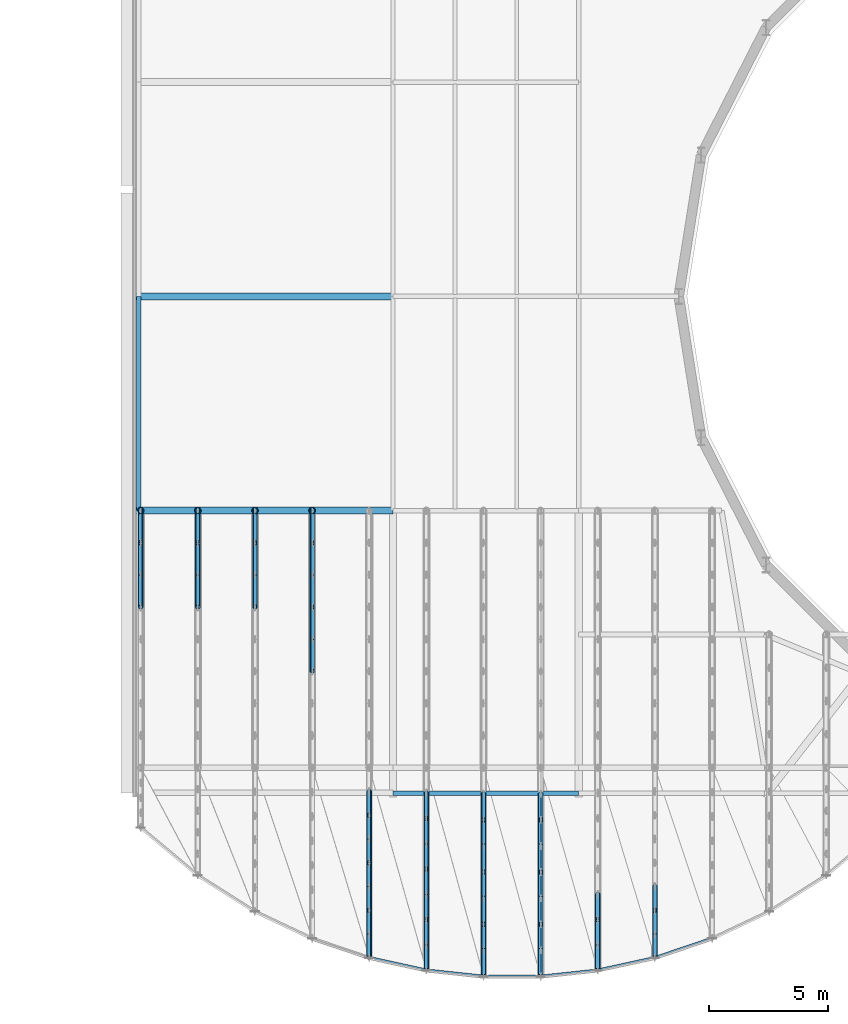
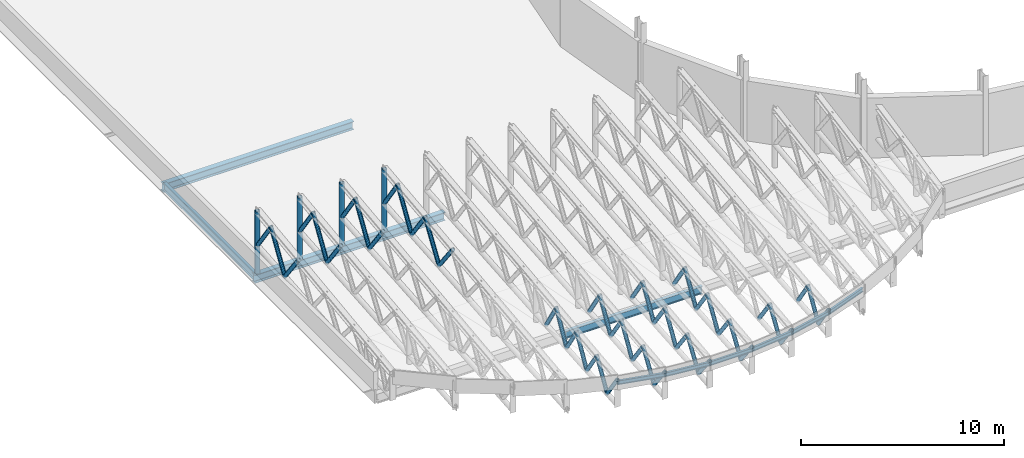
# One storey, part 12 of 58: 58 members, 4 beams.
"""IFC4 building model written with IfcOpenShell, lengths in metres."""

from ifc_helpers import new_model, si_unit, direction, frame, origin, origin_2d, place, context, subcontext, project, spatial, hollow_circle, i_section, extrude, material, material_profile, profile_set, type_object, element, save


model = new_model("IFC4")

# Units and contexts
model_context = context("Model", 3, precision=1e-05, world=origin(), true_north=direction((0.0, 1.0)))
body_context = subcontext(model_context, "Body", "Model", "MODEL_VIEW")
ifc_project = project(units=[si_unit("LENGTHUNIT", "METRE"), si_unit("AREAUNIT", "SQUARE_METRE"), si_unit("VOLUMEUNIT", "CUBIC_METRE"), si_unit("PLANEANGLEUNIT", "RADIAN"), si_unit("MASSUNIT", "GRAM", prefix="KILO")], contexts=[model_context])

# Site, building, storey
site_placement = place(None, origin())
site = spatial("IfcSite", under=ifc_project, at=site_placement, CompositionType="ELEMENT")
building_placement = place(site_placement, origin())
building = spatial("IfcBuilding", under=site, at=building_placement, Name="Sefraquen Railside Congress Hotel", CompositionType="ELEMENT")
storey_placement = place(building_placement, frame((0.0, 0.0, 16.199951171875)))
storey = spatial("IfcBuildingStorey", under=building, at=storey_placement, Name="L03", CompositionType="ELEMENT", Elevation=16.199951171875)

# Beams
ifc_material_1 = material(Name="Steel S355JR", Category="steel")
ifc_material_profile_1 = material_profile(ifc_material_1, i_section(OverallWidth=0.18994140625, OverallDepth=0.449951171875, WebThickness=0.009521484375, FlangeThickness=0.0146484375, FilletRadius=0.02099609375, at=origin_2d()), Name="IPE 450")
ifc_profile_set_1 = profile_set([ifc_material_profile_1], Name="Steel S355JR")
beam_type_1 = type_object("IfcBeamType", Name="TB-BM-450", PredefinedType="BEAM", material=ifc_profile_set_1)
beam_1_placement = place(storey_placement, frame((33.0, 6.128173828125, -0.5048828125), z_axis=(1.0, 0.0, 0.0), x_axis=(0.0, 1.0, 0.0)))
element("IfcBeam", 1, at=beam_1_placement, inside=storey, type_object=beam_type_1, Name="Congress leaning-hull south edge beam L03-02", PredefinedType="BEAM", context=body_context, shape_type="SweptSolid", body=[
    extrude(i_section(OverallWidth=0.18994140625, OverallDepth=0.449951171875, WebThickness=0.009521484375, FlangeThickness=0.0146484375, FilletRadius=0.02099609375, at=origin_2d()), origin(), (0.0, 0.0, 1.0), 7.800048828125),
])
beam_2_placement = place(storey_placement, frame((22.328125, 18.0, -0.5048828125), z_axis=(0.0, 1.0, 0.0), x_axis=(-1.0, 0.0, 0.0)))
element("IfcBeam", 2, at=beam_2_placement, inside=storey, type_object=beam_type_1, Name="Congress leaning-hull west edge beam L03-02", PredefinedType="BEAM", context=body_context, shape_type="SweptSolid", body=[
    extrude(i_section(OverallWidth=0.18994140625, OverallDepth=0.449951171875, WebThickness=0.009521484375, FlangeThickness=0.0146484375, FilletRadius=0.02099609375, at=origin_2d()), origin(), (0.0, 0.0, 1.0), 9.0),
])
ifc_material_profile_2 = material_profile(ifc_material_1, i_section(OverallWidth=0.300048828125, OverallDepth=0.489990234375, WebThickness=0.011962890625, FlangeThickness=0.02294921875, FilletRadius=0.027099609375, at=origin_2d()), Name="HEA 500")
ifc_profile_set_2 = profile_set([ifc_material_profile_2], Name="Steel S355JR")
beam_type_2 = type_object("IfcBeamType", Name="TB-GIR-500", PredefinedType="T_BEAM", material=ifc_profile_set_2)
for number, where, z_axis, x_axis, name in (
    (3, (22.1787109375, 18.0, -0.52490234375), (1.0, 0.0, 0.0), (0.0, 1.0, 0.0), "Congress leaning-hull west tie girder W-C L03"),
    (4, (22.1787109375, 27.0, -0.52490234375), (1.0, 0.0, 0.0), (0.0, 1.0, 0.0), "Congress leaning-hull west tie girder W-D L03"),
):
    element("IfcBeam", number, at=place(storey_placement, frame(where, z_axis=z_axis, x_axis=x_axis)), inside=storey, type_object=beam_type_2, Name=name, PredefinedType="T_BEAM", context=body_context, shape_type="SweptSolid", body=[
        extrude(i_section(OverallWidth=0.300048828125, OverallDepth=0.489990234375, WebThickness=0.011962890625, FlangeThickness=0.02294921875, FilletRadius=0.027099609375, at=origin_2d()), origin(), (0.0, 0.0, 1.0), 10.8212890625),
    ])

# Members
ifc_material_2 = material(Name="Steel S355J2", Category="steel")
ifc_material_profile_3 = material_profile(ifc_material_2, hollow_circle(Radius=0.109619140625, WallThickness=0.010009765625, at=origin_2d()), Name="CHS 219.1x10")
ifc_profile_set_3 = profile_set([ifc_material_profile_3], Name="Steel S355J2")
member_type_1 = type_object("IfcMemberType", Name="TM-BR-219", PredefinedType="BRACE", material=ifc_profile_set_3)
member_1_placement = place(storey_placement, frame((22.39990234375, 18.0, 1.35009765625), z_axis=(0.0, -0.573706013671, 0.819061297998), x_axis=(1.0, 0.0, 0.0)))
element("IfcMember", 5, at=member_1_placement, inside=storey, type_object=member_type_1, Name="Canopy cantilever truss web diagonal 01.01", PredefinedType="BRACE", context=body_context, shape_type="SweptSolid", body=[
    extrude(hollow_circle(Radius=0.109619140625, WallThickness=0.010009765625, at=origin_2d()), origin(), (0.0, 0.0, 1.0), 2.353271484375),
])
member_2_placement = place(storey_placement, frame((22.39990234375, 16.64990234375, 3.277587890625), z_axis=(0.0, -0.531570873459, -0.847013817178), x_axis=(1.0, 0.0, 0.0)))
element("IfcMember", 6, at=member_2_placement, inside=storey, type_object=member_type_1, Name="Canopy cantilever truss web diagonal 01.02", PredefinedType="BRACE", context=body_context, shape_type="SweptSolid", body=[
    extrude(hollow_circle(Radius=0.109619140625, WallThickness=0.010009765625, at=origin_2d()), origin(), (0.0, 0.0, 1.0), 2.539306640625),
])
member_3_placement = place(storey_placement, frame((22.39990234375, 15.300048828125, 1.126708984375), z_axis=(0.0, -0.598769269302, 0.800921570529), x_axis=(1.0, 0.0, 0.0)))
element("IfcMember", 7, at=member_3_placement, inside=storey, type_object=member_type_1, Name="Canopy cantilever truss web diagonal 01.03", PredefinedType="BRACE", context=body_context, shape_type="SweptSolid", body=[
    extrude(hollow_circle(Radius=0.109619140625, WallThickness=0.010009765625, at=origin_2d()), origin(), (0.0, 0.0, 1.0), 2.2548828125),
])
member_4_placement = place(storey_placement, frame((24.800048828125, 18.0, 1.35009765625), z_axis=(0.0, -0.572052141242, 0.820217256403), x_axis=(1.0, 0.0, 0.0)))
element("IfcMember", 8, at=member_4_placement, inside=storey, type_object=member_type_1, Name="Canopy cantilever truss web diagonal 02.01", PredefinedType="BRACE", context=body_context, shape_type="SweptSolid", body=[
    extrude(hollow_circle(Radius=0.109619140625, WallThickness=0.010009765625, at=origin_2d()), origin(), (0.0, 0.0, 1.0), 2.360107421875),
])
member_5_placement = place(storey_placement, frame((24.800048828125, 16.64990234375, 3.285888671875), z_axis=(0.0, -0.530274781874, -0.847825840435), x_axis=(1.0, 0.0, 0.0)))
element("IfcMember", 9, at=member_5_placement, inside=storey, type_object=member_type_1, Name="Canopy cantilever truss web diagonal 02.02", PredefinedType="BRACE", context=body_context, shape_type="SweptSolid", body=[
    extrude(hollow_circle(Radius=0.109619140625, WallThickness=0.010009765625, at=origin_2d()), origin(), (0.0, 0.0, 1.0), 2.545654296875),
])
member_6_placement = place(storey_placement, frame((24.800048828125, 15.300048828125, 1.127685546875), z_axis=(0.0, -0.593660345158, 0.80471572284), x_axis=(1.0, 0.0, 0.0)))
element("IfcMember", 10, at=member_6_placement, inside=storey, type_object=member_type_1, Name="Canopy cantilever truss web diagonal 02.03", PredefinedType="BRACE", context=body_context, shape_type="SweptSolid", body=[
    extrude(hollow_circle(Radius=0.109619140625, WallThickness=0.010009765625, at=origin_2d()), origin(), (0.0, 0.0, 1.0), 2.274169921875),
])
member_7_placement = place(storey_placement, frame((27.199951171875, 18.0, 1.35009765625), z_axis=(0.0, -0.571034232948, 0.820926248089), x_axis=(1.0, 0.0, 0.0)))
element("IfcMember", 11, at=member_7_placement, inside=storey, type_object=member_type_1, Name="Canopy cantilever truss web diagonal 03.01", PredefinedType="BRACE", context=body_context, shape_type="SweptSolid", body=[
    extrude(hollow_circle(Radius=0.109619140625, WallThickness=0.010009765625, at=origin_2d()), origin(), (0.0, 0.0, 1.0), 2.3642578125),
])
member_8_placement = place(storey_placement, frame((27.199951171875, 16.64990234375, 3.291015625), z_axis=(0.0, -0.529499564894, -0.848310209049), x_axis=(1.0, 0.0, 0.0)))
element("IfcMember", 12, at=member_8_placement, inside=storey, type_object=member_type_1, Name="Canopy cantilever truss web diagonal 03.02", PredefinedType="BRACE", context=body_context, shape_type="SweptSolid", body=[
    extrude(hollow_circle(Radius=0.109619140625, WallThickness=0.010009765625, at=origin_2d()), origin(), (0.0, 0.0, 1.0), 2.54931640625),
])
member_9_placement = place(storey_placement, frame((27.199951171875, 15.300048828125, 1.12841796875), z_axis=(0.0, -0.59059481739, 0.8069682532), x_axis=(1.0, 0.0, 0.0)))
element("IfcMember", 13, at=member_9_placement, inside=storey, type_object=member_type_1, Name="Canopy cantilever truss web diagonal 03.03", PredefinedType="BRACE", context=body_context, shape_type="SweptSolid", body=[
    extrude(hollow_circle(Radius=0.109619140625, WallThickness=0.010009765625, at=origin_2d()), origin(), (0.0, 0.0, 1.0), 2.285888671875),
])
member_10_placement = place(storey_placement, frame((29.60009765625, 18.0, 1.35009765625), z_axis=(0.0, -0.570405474497, 0.821363253783), x_axis=(1.0, 0.0, 0.0)))
element("IfcMember", 14, at=member_10_placement, inside=storey, type_object=member_type_1, Name="Canopy cantilever truss web diagonal 04.01", PredefinedType="BRACE", context=body_context, shape_type="SweptSolid", body=[
    extrude(hollow_circle(Radius=0.109619140625, WallThickness=0.010009765625, at=origin_2d()), origin(), (0.0, 0.0, 1.0), 2.366943359375),
])
member_11_placement = place(storey_placement, frame((29.60009765625, 16.64990234375, 3.294189453125), z_axis=(0.0, -0.52898376685, -0.84863194284), x_axis=(1.0, 0.0, 0.0)))
element("IfcMember", 15, at=member_11_placement, inside=storey, type_object=member_type_1, Name="Canopy cantilever truss web diagonal 04.02", PredefinedType="BRACE", context=body_context, shape_type="SweptSolid", body=[
    extrude(hollow_circle(Radius=0.109619140625, WallThickness=0.010009765625, at=origin_2d()), origin(), (0.0, 0.0, 1.0), 2.5517578125),
])
member_12_placement = place(storey_placement, frame((29.60009765625, 15.300048828125, 1.128662109375), z_axis=(0.0, -0.588665283223, 0.808376882603), x_axis=(1.0, 0.0, 0.0)))
element("IfcMember", 16, at=member_12_placement, inside=storey, type_object=member_type_1, Name="Canopy cantilever truss web diagonal 04.03", PredefinedType="BRACE", context=body_context, shape_type="SweptSolid", body=[
    extrude(hollow_circle(Radius=0.109619140625, WallThickness=0.010009765625, at=origin_2d()), origin(), (0.0, 0.0, 1.0), 2.29345703125),
])
member_13_placement = place(storey_placement, frame((29.60009765625, 13.949951171875, 2.982666015625), z_axis=(0.0, -0.545220559607, -0.838292634694), x_axis=(1.0, 0.0, 0.0)))
element("IfcMember", 17, at=member_13_placement, inside=storey, type_object=member_type_1, Name="Canopy cantilever truss web diagonal 04.04", PredefinedType="BRACE", context=body_context, shape_type="SweptSolid", body=[
    extrude(hollow_circle(Radius=0.109619140625, WallThickness=0.010009765625, at=origin_2d()), origin(), (0.0, 0.0, 1.0), 2.475830078125),
])
member_14_placement = place(storey_placement, frame((29.60009765625, 12.60009765625, 0.9072265625), z_axis=(0.0, -0.607796815012, 0.794092583809), x_axis=(1.0, 0.0, 0.0)))
element("IfcMember", 18, at=member_14_placement, inside=storey, type_object=member_type_1, Name="Canopy cantilever truss web diagonal 04.05", PredefinedType="BRACE", context=body_context, shape_type="SweptSolid", body=[
    extrude(hollow_circle(Radius=0.109619140625, WallThickness=0.010009765625, at=origin_2d()), origin(), (0.0, 0.0, 1.0), 2.22119140625),
])
member_15_placement = place(storey_placement, frame((32.0, 6.201904296875, 0.383544921875), z_axis=(0.0, -0.527029065083, 0.849847259546), x_axis=(1.0, 0.0, 0.0)))
element("IfcMember", 19, at=member_15_placement, inside=storey, type_object=member_type_1, Name="Canopy cantilever truss web diagonal 05.10", PredefinedType="BRACE", context=body_context, shape_type="SweptSolid", body=[
    extrude(hollow_circle(Radius=0.109619140625, WallThickness=0.010009765625, at=origin_2d()), origin(), (0.0, 0.0, 1.0), 1.893798828125),
])
member_16_placement = place(storey_placement, frame((32.0, 5.203857421875, 1.992919921875), z_axis=(0.0, -0.490637184942, -0.871363961128), x_axis=(1.0, 0.0, 0.0)))
element("IfcMember", 20, at=member_16_placement, inside=storey, type_object=member_type_1, Name="Canopy cantilever truss web diagonal 05.11", PredefinedType="BRACE", context=body_context, shape_type="SweptSolid", body=[
    extrude(hollow_circle(Radius=0.109619140625, WallThickness=0.010009765625, at=origin_2d()), origin(), (0.0, 0.0, 1.0), 2.03466796875),
])
member_17_placement = place(storey_placement, frame((32.0, 4.20556640625, 0.219970703125), z_axis=(0.0, -0.542453250416, 0.840085990309), x_axis=(1.0, 0.0, 0.0)))
element("IfcMember", 21, at=member_17_placement, inside=storey, type_object=member_type_1, Name="Canopy cantilever truss web diagonal 05.12", PredefinedType="BRACE", context=body_context, shape_type="SweptSolid", body=[
    extrude(hollow_circle(Radius=0.109619140625, WallThickness=0.010009765625, at=origin_2d()), origin(), (0.0, 0.0, 1.0), 1.83984375),
])
member_18_placement = place(storey_placement, frame((32.0, 3.20751953125, 1.765625), z_axis=(0.0, -0.504246773929, -0.863559604765), x_axis=(1.0, 0.0, 0.0)))
element("IfcMember", 22, at=member_18_placement, inside=storey, type_object=member_type_1, Name="Canopy cantilever truss web diagonal 05.13", PredefinedType="BRACE", context=body_context, shape_type="SweptSolid", body=[
    extrude(hollow_circle(Radius=0.109619140625, WallThickness=0.010009765625, at=origin_2d()), origin(), (0.0, 0.0, 1.0), 1.979248046875),
])
member_19_placement = place(storey_placement, frame((32.0, 2.20947265625, 0.056396484375), z_axis=(0.0, -0.558698212114, 0.829371031433), x_axis=(1.0, 0.0, 0.0)))
element("IfcMember", 23, at=member_19_placement, inside=storey, type_object=member_type_1, Name="Canopy cantilever truss web diagonal 05.14", PredefinedType="BRACE", context=body_context, shape_type="SweptSolid", body=[
    extrude(hollow_circle(Radius=0.109619140625, WallThickness=0.010009765625, at=origin_2d()), origin(), (0.0, 0.0, 1.0), 1.786865234375),
])
member_20_placement = place(storey_placement, frame((32.0, 1.211181640625, 1.538330078125), z_axis=(0.0, -0.518594080333, -0.85502057276), x_axis=(1.0, 0.0, 0.0)))
element("IfcMember", 24, at=member_20_placement, inside=storey, type_object=member_type_1, Name="Canopy cantilever truss web diagonal 05.15", PredefinedType="BRACE", context=body_context, shape_type="SweptSolid", body=[
    extrude(hollow_circle(Radius=0.109619140625, WallThickness=0.010009765625, at=origin_2d()), origin(), (0.0, 0.0, 1.0), 1.924560546875),
])
member_21_placement = place(storey_placement, frame((32.0, 0.213134765625, -0.107177734375), z_axis=(0.0, -0.575510842166, 0.817794149251), x_axis=(1.0, 0.0, 0.0)))
element("IfcMember", 25, at=member_21_placement, inside=storey, type_object=member_type_1, Name="Canopy cantilever truss web diagonal 05.16", PredefinedType="BRACE", context=body_context, shape_type="SweptSolid", body=[
    extrude(hollow_circle(Radius=0.109619140625, WallThickness=0.010009765625, at=origin_2d()), origin(), (0.0, 0.0, 1.0), 1.734130859375),
])
member_22_placement = place(storey_placement, frame((34.39990234375, 6.13623046875, 0.378662109375), z_axis=(0.0, -0.550930284925, 0.834551269337), x_axis=(1.0, 0.0, 0.0)))
element("IfcMember", 26, at=member_22_placement, inside=storey, type_object=member_type_1, Name="Canopy cantilever truss web diagonal 06.10", PredefinedType="BRACE", context=body_context, shape_type="SweptSolid", body=[
    extrude(hollow_circle(Radius=0.109619140625, WallThickness=0.010009765625, at=origin_2d()), origin(), (0.0, 0.0, 1.0), 1.9306640625),
])
member_23_placement = place(storey_placement, frame((34.39990234375, 5.072509765625, 1.989990234375), z_axis=(0.0, -0.51183284571, -0.859085058683), x_axis=(1.0, 0.0, 0.0)))
element("IfcMember", 27, at=member_23_placement, inside=storey, type_object=member_type_1, Name="Canopy cantilever truss web diagonal 06.11", PredefinedType="BRACE", context=body_context, shape_type="SweptSolid", body=[
    extrude(hollow_circle(Radius=0.109619140625, WallThickness=0.010009765625, at=origin_2d()), origin(), (0.0, 0.0, 1.0), 2.078369140625),
])
member_24_placement = place(storey_placement, frame((34.39990234375, 4.0087890625, 0.20458984375), z_axis=(0.0, -0.567042389138, 0.823688611625), x_axis=(1.0, 0.0, 0.0)))
element("IfcMember", 28, at=member_24_placement, inside=storey, type_object=member_type_1, Name="Canopy cantilever truss web diagonal 06.12", PredefinedType="BRACE", context=body_context, shape_type="SweptSolid", body=[
    extrude(hollow_circle(Radius=0.109619140625, WallThickness=0.010009765625, at=origin_2d()), origin(), (0.0, 0.0, 1.0), 1.8759765625),
])
member_25_placement = place(storey_placement, frame((34.39990234375, 2.945068359375, 1.749755859375), z_axis=(0.0, -0.526096863802, -0.850424652687), x_axis=(1.0, 0.0, 0.0)))
element("IfcMember", 29, at=member_25_placement, inside=storey, type_object=member_type_1, Name="Canopy cantilever truss web diagonal 06.13", PredefinedType="BRACE", context=body_context, shape_type="SweptSolid", body=[
    extrude(hollow_circle(Radius=0.109619140625, WallThickness=0.010009765625, at=origin_2d()), origin(), (0.0, 0.0, 1.0), 2.02197265625),
])
member_26_placement = place(storey_placement, frame((34.39990234375, 1.88134765625, 0.0302734375), z_axis=(0.0, -0.583972853545, 0.811773186502), x_axis=(1.0, 0.0, 0.0)))
element("IfcMember", 30, at=member_26_placement, inside=storey, type_object=member_type_1, Name="Canopy cantilever truss web diagonal 06.14", PredefinedType="BRACE", context=body_context, shape_type="SweptSolid", body=[
    extrude(hollow_circle(Radius=0.109619140625, WallThickness=0.010009765625, at=origin_2d()), origin(), (0.0, 0.0, 1.0), 1.822021484375),
])
member_27_placement = place(storey_placement, frame((34.39990234375, 0.8173828125, 1.50927734375), z_axis=(0.0, -0.54104005033, -0.840996827544), x_axis=(1.0, 0.0, 0.0)))
element("IfcMember", 31, at=member_27_placement, inside=storey, type_object=member_type_1, Name="Canopy cantilever truss web diagonal 06.15", PredefinedType="BRACE", context=body_context, shape_type="SweptSolid", body=[
    extrude(hollow_circle(Radius=0.109619140625, WallThickness=0.010009765625, at=origin_2d()), origin(), (0.0, 0.0, 1.0), 1.965576171875),
])
member_28_placement = place(storey_placement, frame((34.39990234375, -0.24609375, -0.143798828125), z_axis=(0.0, -0.601566952132, 0.798822384578), x_axis=(1.0, 0.0, 0.0)))
element("IfcMember", 32, at=member_28_placement, inside=storey, type_object=member_type_1, Name="Canopy cantilever truss web diagonal 06.16", PredefinedType="BRACE", context=body_context, shape_type="SweptSolid", body=[
    extrude(hollow_circle(Radius=0.109619140625, WallThickness=0.010009765625, at=origin_2d()), origin(), (0.0, 0.0, 1.0), 1.7685546875),
])
member_29_placement = place(storey_placement, frame((36.800048828125, 6.10400390625, 0.376708984375), z_axis=(0.0, -0.562220949555, 0.826987063914), x_axis=(1.0, 0.0, 0.0)))
element("IfcMember", 33, at=member_29_placement, inside=storey, type_object=member_type_1, Name="Canopy cantilever truss web diagonal 07.10", PredefinedType="BRACE", context=body_context, shape_type="SweptSolid", body=[
    extrude(hollow_circle(Radius=0.109619140625, WallThickness=0.010009765625, at=origin_2d()), origin(), (0.0, 0.0, 1.0), 1.94921875),
])
member_30_placement = place(storey_placement, frame((36.800048828125, 5.008056640625, 1.98876953125), z_axis=(0.0, -0.521896694646, -0.853008698735), x_axis=(1.0, 0.0, 0.0)))
element("IfcMember", 34, at=member_30_placement, inside=storey, type_object=member_type_1, Name="Canopy cantilever truss web diagonal 07.11", PredefinedType="BRACE", context=body_context, shape_type="SweptSolid", body=[
    extrude(hollow_circle(Radius=0.109619140625, WallThickness=0.010009765625, at=origin_2d()), origin(), (0.0, 0.0, 1.0), 2.099853515625),
])
member_31_placement = place(storey_placement, frame((36.800048828125, 3.912109375, 0.197509765625), z_axis=(0.0, -0.578735945052, 0.815514994286), x_axis=(1.0, 0.0, 0.0)))
element("IfcMember", 35, at=member_31_placement, inside=storey, type_object=member_type_1, Name="Canopy cantilever truss web diagonal 07.12", PredefinedType="BRACE", context=body_context, shape_type="SweptSolid", body=[
    extrude(hollow_circle(Radius=0.109619140625, WallThickness=0.010009765625, at=origin_2d()), origin(), (0.0, 0.0, 1.0), 1.89404296875),
])
member_32_placement = place(storey_placement, frame((36.800048828125, 2.81591796875, 1.7421875), z_axis=(0.0, -0.536450132966, -0.843932020272), x_axis=(1.0, 0.0, 0.0)))
element("IfcMember", 36, at=member_32_placement, inside=storey, type_object=member_type_1, Name="Canopy cantilever truss web diagonal 07.13", PredefinedType="BRACE", context=body_context, shape_type="SweptSolid", body=[
    extrude(hollow_circle(Radius=0.109619140625, WallThickness=0.010009765625, at=origin_2d()), origin(), (0.0, 0.0, 1.0), 2.04296875),
])
member_33_placement = place(storey_placement, frame((36.800048828125, 1.719970703125, 0.01806640625), z_axis=(0.0, -0.595744757732, 0.803173819067), x_axis=(1.0, 0.0, 0.0)))
element("IfcMember", 37, at=member_33_placement, inside=storey, type_object=member_type_1, Name="Canopy cantilever truss web diagonal 07.14", PredefinedType="BRACE", context=body_context, shape_type="SweptSolid", body=[
    extrude(hollow_circle(Radius=0.109619140625, WallThickness=0.010009765625, at=origin_2d()), origin(), (0.0, 0.0, 1.0), 1.839599609375),
])
member_34_placement = place(storey_placement, frame((36.800048828125, 0.6240234375, 1.49560546875), z_axis=(0.0, -0.55171857114, -0.834030346126), x_axis=(1.0, 0.0, 0.0)))
element("IfcMember", 38, at=member_34_placement, inside=storey, type_object=member_type_1, Name="Canopy cantilever truss web diagonal 07.15", PredefinedType="BRACE", context=body_context, shape_type="SweptSolid", body=[
    extrude(hollow_circle(Radius=0.109619140625, WallThickness=0.010009765625, at=origin_2d()), origin(), (0.0, 0.0, 1.0), 1.986328125),
])
member_35_placement = place(storey_placement, frame((36.800048828125, -0.471923828125, -0.1611328125), z_axis=(0.0, -0.613732404709, 0.789514113496), x_axis=(1.0, 0.0, 0.0)))
element("IfcMember", 39, at=member_35_placement, inside=storey, type_object=member_type_1, Name="Canopy cantilever truss web diagonal 07.16", PredefinedType="BRACE", context=body_context, shape_type="SweptSolid", body=[
    extrude(hollow_circle(Radius=0.109619140625, WallThickness=0.010009765625, at=origin_2d()), origin(), (0.0, 0.0, 1.0), 1.7861328125),
])
member_36_placement = place(storey_placement, frame((39.199951171875, 6.10400390625, 0.376708984375), z_axis=(0.0, -0.562220949555, 0.826987063914), x_axis=(1.0, 0.0, 0.0)))
element("IfcMember", 40, at=member_36_placement, inside=storey, type_object=member_type_1, Name="Canopy cantilever truss web diagonal 08.10", PredefinedType="BRACE", context=body_context, shape_type="SweptSolid", body=[
    extrude(hollow_circle(Radius=0.109619140625, WallThickness=0.010009765625, at=origin_2d()), origin(), (0.0, 0.0, 1.0), 1.94921875),
])
member_37_placement = place(storey_placement, frame((39.199951171875, 5.008056640625, 1.98876953125), z_axis=(0.0, -0.521896694646, -0.853008698735), x_axis=(1.0, 0.0, 0.0)))
element("IfcMember", 41, at=member_37_placement, inside=storey, type_object=member_type_1, Name="Canopy cantilever truss web diagonal 08.11", PredefinedType="BRACE", context=body_context, shape_type="SweptSolid", body=[
    extrude(hollow_circle(Radius=0.109619140625, WallThickness=0.010009765625, at=origin_2d()), origin(), (0.0, 0.0, 1.0), 2.099853515625),
])
member_38_placement = place(storey_placement, frame((39.199951171875, 3.912109375, 0.197509765625), z_axis=(0.0, -0.578735945052, 0.815514994286), x_axis=(1.0, 0.0, 0.0)))
element("IfcMember", 42, at=member_38_placement, inside=storey, type_object=member_type_1, Name="Canopy cantilever truss web diagonal 08.12", PredefinedType="BRACE", context=body_context, shape_type="SweptSolid", body=[
    extrude(hollow_circle(Radius=0.109619140625, WallThickness=0.010009765625, at=origin_2d()), origin(), (0.0, 0.0, 1.0), 1.89404296875),
])
member_39_placement = place(storey_placement, frame((39.199951171875, 2.81591796875, 1.7421875), z_axis=(0.0, -0.536450132966, -0.843932020272), x_axis=(1.0, 0.0, 0.0)))
element("IfcMember", 43, at=member_39_placement, inside=storey, type_object=member_type_1, Name="Canopy cantilever truss web diagonal 08.13", PredefinedType="BRACE", context=body_context, shape_type="SweptSolid", body=[
    extrude(hollow_circle(Radius=0.109619140625, WallThickness=0.010009765625, at=origin_2d()), origin(), (0.0, 0.0, 1.0), 2.04296875),
])
member_40_placement = place(storey_placement, frame((39.199951171875, 1.719970703125, 0.01806640625), z_axis=(0.0, -0.595744757732, 0.803173819067), x_axis=(1.0, 0.0, 0.0)))
element("IfcMember", 44, at=member_40_placement, inside=storey, type_object=member_type_1, Name="Canopy cantilever truss web diagonal 08.14", PredefinedType="BRACE", context=body_context, shape_type="SweptSolid", body=[
    extrude(hollow_circle(Radius=0.109619140625, WallThickness=0.010009765625, at=origin_2d()), origin(), (0.0, 0.0, 1.0), 1.839599609375),
])
member_41_placement = place(storey_placement, frame((39.199951171875, 0.6240234375, 1.49560546875), z_axis=(0.0, -0.55171857114, -0.834030346126), x_axis=(1.0, 0.0, 0.0)))
element("IfcMember", 45, at=member_41_placement, inside=storey, type_object=member_type_1, Name="Canopy cantilever truss web diagonal 08.15", PredefinedType="BRACE", context=body_context, shape_type="SweptSolid", body=[
    extrude(hollow_circle(Radius=0.109619140625, WallThickness=0.010009765625, at=origin_2d()), origin(), (0.0, 0.0, 1.0), 1.986328125),
])
member_42_placement = place(storey_placement, frame((39.199951171875, -0.471923828125, -0.1611328125), z_axis=(0.0, -0.613732404709, 0.789514113496), x_axis=(1.0, 0.0, 0.0)))
element("IfcMember", 46, at=member_42_placement, inside=storey, type_object=member_type_1, Name="Canopy cantilever truss web diagonal 08.16", PredefinedType="BRACE", context=body_context, shape_type="SweptSolid", body=[
    extrude(hollow_circle(Radius=0.109619140625, WallThickness=0.010009765625, at=origin_2d()), origin(), (0.0, 0.0, 1.0), 1.7861328125),
])
member_43_placement = place(storey_placement, frame((41.60009765625, 1.88134765625, 0.0302734375), z_axis=(0.0, -0.583972853545, 0.811773186502), x_axis=(1.0, 0.0, 0.0)))
element("IfcMember", 47, at=member_43_placement, inside=storey, type_object=member_type_1, Name="Canopy cantilever truss web diagonal 09.14", PredefinedType="BRACE", context=body_context, shape_type="SweptSolid", body=[
    extrude(hollow_circle(Radius=0.109619140625, WallThickness=0.010009765625, at=origin_2d()), origin(), (0.0, 0.0, 1.0), 1.822021484375),
])
member_44_placement = place(storey_placement, frame((41.60009765625, 0.8173828125, 1.50927734375), z_axis=(0.0, -0.54104005033, -0.840996827544), x_axis=(1.0, 0.0, 0.0)))
element("IfcMember", 48, at=member_44_placement, inside=storey, type_object=member_type_1, Name="Canopy cantilever truss web diagonal 09.15", PredefinedType="BRACE", context=body_context, shape_type="SweptSolid", body=[
    extrude(hollow_circle(Radius=0.109619140625, WallThickness=0.010009765625, at=origin_2d()), origin(), (0.0, 0.0, 1.0), 1.965576171875),
])
member_45_placement = place(storey_placement, frame((41.60009765625, -0.24609375, -0.143798828125), z_axis=(0.0, -0.601566952132, 0.798822384578), x_axis=(1.0, 0.0, 0.0)))
element("IfcMember", 49, at=member_45_placement, inside=storey, type_object=member_type_1, Name="Canopy cantilever truss web diagonal 09.16", PredefinedType="BRACE", context=body_context, shape_type="SweptSolid", body=[
    extrude(hollow_circle(Radius=0.109619140625, WallThickness=0.010009765625, at=origin_2d()), origin(), (0.0, 0.0, 1.0), 1.7685546875),
])
member_46_placement = place(storey_placement, frame((44.0, 2.20947265625, 0.056396484375), z_axis=(0.0, -0.558698212114, 0.829371031433), x_axis=(1.0, 0.0, 0.0)))
element("IfcMember", 50, at=member_46_placement, inside=storey, type_object=member_type_1, Name="Canopy cantilever truss web diagonal 10.14", PredefinedType="BRACE", context=body_context, shape_type="SweptSolid", body=[
    extrude(hollow_circle(Radius=0.109619140625, WallThickness=0.010009765625, at=origin_2d()), origin(), (0.0, 0.0, 1.0), 1.786865234375),
])
member_47_placement = place(storey_placement, frame((44.0, 1.211181640625, 1.538330078125), z_axis=(0.0, -0.518594080333, -0.85502057276), x_axis=(1.0, 0.0, 0.0)))
element("IfcMember", 51, at=member_47_placement, inside=storey, type_object=member_type_1, Name="Canopy cantilever truss web diagonal 10.15", PredefinedType="BRACE", context=body_context, shape_type="SweptSolid", body=[
    extrude(hollow_circle(Radius=0.109619140625, WallThickness=0.010009765625, at=origin_2d()), origin(), (0.0, 0.0, 1.0), 1.924560546875),
])
member_48_placement = place(storey_placement, frame((44.0, 0.213134765625, -0.107177734375), z_axis=(0.0, -0.575510842166, 0.817794149251), x_axis=(1.0, 0.0, 0.0)))
element("IfcMember", 52, at=member_48_placement, inside=storey, type_object=member_type_1, Name="Canopy cantilever truss web diagonal 10.16", PredefinedType="BRACE", context=body_context, shape_type="SweptSolid", body=[
    extrude(hollow_circle(Radius=0.109619140625, WallThickness=0.010009765625, at=origin_2d()), origin(), (0.0, 0.0, 1.0), 1.734130859375),
])
ifc_material_profile_4 = material_profile(ifc_material_2, hollow_circle(Radius=0.136474609375, WallThickness=0.012451171875, at=origin_2d()), Name="CHS 273x12.5")
ifc_profile_set_4 = profile_set([ifc_material_profile_4], Name="Steel S355J2")
member_type_2 = type_object("IfcMemberType", Name="TM-CANT-CHORD", PredefinedType="CHORD", material=ifc_profile_set_4)
for number, where, z_axis, x_axis, name in (
    (53, (22.39990234375, 18.0, -0.280029296875), (0.0, 0.0, 1.0), (1.0, 0.0, 0.0), "Canopy truss anchor post C-01"),
    (54, (24.800048828125, 18.0, -0.280029296875), (0.0, 0.0, 1.0), (1.0, 0.0, 0.0), "Canopy truss anchor post C-02"),
    (55, (27.199951171875, 18.0, -0.280029296875), (0.0, 0.0, 1.0), (1.0, 0.0, 0.0), "Canopy truss anchor post C-03"),
    (56, (29.60009765625, 18.0, -0.280029296875), (0.0, 0.0, 1.0), (1.0, 0.0, 0.0), "Canopy truss anchor post C-04"),
):
    element("IfcMember", number, at=place(storey_placement, frame(where, z_axis=z_axis, x_axis=x_axis)), inside=storey, type_object=member_type_2, Name=name, PredefinedType="CHORD", context=body_context, shape_type="SweptSolid", body=[
        extrude(hollow_circle(Radius=0.136474609375, WallThickness=0.012451171875, at=origin_2d()), origin(), (0.0, 0.0, 1.0), 3.72998046875),
    ])
ifc_material_profile_5 = material_profile(ifc_material_1, i_section(OverallWidth=0.1201171875, OverallDepth=0.239990234375, WebThickness=0.006103515625, FlangeThickness=0.009765625, FilletRadius=0.014892578125, at=origin_2d()), Name="IPE 240")
ifc_profile_set_5 = profile_set([ifc_material_profile_5], Name="Steel S355JR")
member_type_3 = type_object("IfcMemberType", Name="TM-PUR-240", PredefinedType="PURLIN", material=ifc_profile_set_5)
member_49_placement = place(storey_placement, frame((32.0, -0.784912109375, 1.151123046875), z_axis=(0.976743074529, -0.21373085995, -0.017090519717), x_axis=(0.213762080671, 0.976885752208, 0.0)))
element("IfcMember", 57, at=member_49_placement, inside=storey, type_object=member_type_3, Name="Sweeping canopy front edge purlin 05", PredefinedType="PURLIN", context=body_context, shape_type="SweptSolid", body=[
    extrude(i_section(OverallWidth=0.1201171875, OverallDepth=0.239990234375, WebThickness=0.006103515625, FlangeThickness=0.009765625, FilletRadius=0.014892578125, at=origin_2d()), origin(), (0.0, 0.0, 1.0), 2.45703125),
])
member_50_placement = place(storey_placement, frame((34.39990234375, -1.31005859375, 1.109130859375), z_axis=(0.994235487738, -0.106897254658, -0.008292880683), x_axis=(0.106900930609, 0.994269677218, 0.0)))
element("IfcMember", 58, at=member_50_placement, inside=storey, type_object=member_type_3, Name="Sweeping canopy front edge purlin 06", PredefinedType="PURLIN", context=body_context, shape_type="SweptSolid", body=[
    extrude(i_section(OverallWidth=0.1201171875, OverallDepth=0.239990234375, WebThickness=0.006103515625, FlangeThickness=0.009765625, FilletRadius=0.014892578125, at=origin_2d()), origin(), (0.0, 0.0, 1.0), 2.4140625),
])
member_51_placement = place(storey_placement, frame((36.800048828125, -1.568115234375, 1.089111328125), z_axis=(1.0, 0.0, 0.0), x_axis=(0.0, 1.0, 0.0)))
element("IfcMember", 59, at=member_51_placement, inside=storey, type_object=member_type_3, Name="Sweeping canopy front edge purlin 07", PredefinedType="PURLIN", context=body_context, shape_type="SweptSolid", body=[
    extrude(i_section(OverallWidth=0.1201171875, OverallDepth=0.239990234375, WebThickness=0.006103515625, FlangeThickness=0.009765625, FilletRadius=0.014892578125, at=origin_2d()), origin(), (0.0, 0.0, 1.0), 2.39990234375),
])
member_52_placement = place(storey_placement, frame((39.199951171875, -1.568115234375, 1.089111328125), z_axis=(0.994235487738, 0.106897254658, 0.008292880683), x_axis=(-0.106900930609, 0.994269677218, 0.0)))
element("IfcMember", 60, at=member_52_placement, inside=storey, type_object=member_type_3, Name="Sweeping canopy front edge purlin 08", PredefinedType="PURLIN", context=body_context, shape_type="SweptSolid", body=[
    extrude(i_section(OverallWidth=0.1201171875, OverallDepth=0.239990234375, WebThickness=0.006103515625, FlangeThickness=0.009765625, FilletRadius=0.014892578125, at=origin_2d()), origin(), (0.0, 0.0, 1.0), 2.4140625),
])
member_53_placement = place(storey_placement, frame((41.60009765625, -1.31005859375, 1.109130859375), z_axis=(0.976743074529, 0.21373085995, 0.017090519717), x_axis=(-0.213762080671, 0.976885752208, 0.0)))
element("IfcMember", 61, at=member_53_placement, inside=storey, type_object=member_type_3, Name="Sweeping canopy front edge purlin 09", PredefinedType="PURLIN", context=body_context, shape_type="SweptSolid", body=[
    extrude(i_section(OverallWidth=0.1201171875, OverallDepth=0.239990234375, WebThickness=0.006103515625, FlangeThickness=0.009765625, FilletRadius=0.014892578125, at=origin_2d()), origin(), (0.0, 0.0, 1.0), 2.45703125),
])
member_54_placement = place(storey_placement, frame((44.0, -0.784912109375, 1.151123046875), z_axis=(0.946936448602, 0.320397825844, 0.025624119565), x_axis=(-0.320503063557, 0.947247478883, 0.0)))
element("IfcMember", 62, at=member_54_placement, inside=storey, type_object=member_type_3, Name="Sweeping canopy front edge purlin 10", PredefinedType="PURLIN", context=body_context, shape_type="SweptSolid", body=[
    extrude(i_section(OverallWidth=0.1201171875, OverallDepth=0.239990234375, WebThickness=0.006103515625, FlangeThickness=0.009765625, FilletRadius=0.014892578125, at=origin_2d()), origin(), (0.0, 0.0, 1.0), 2.534423828125),
])

save(model, "model.ifc")
